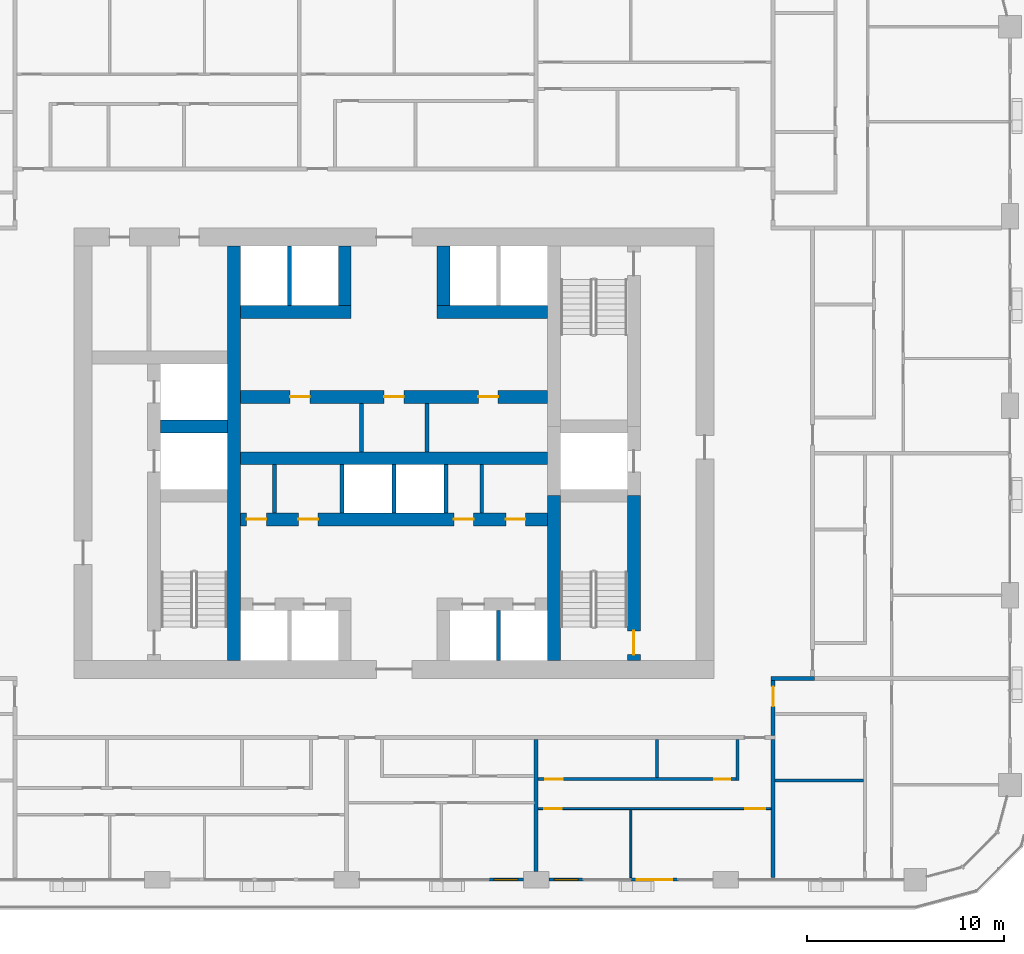
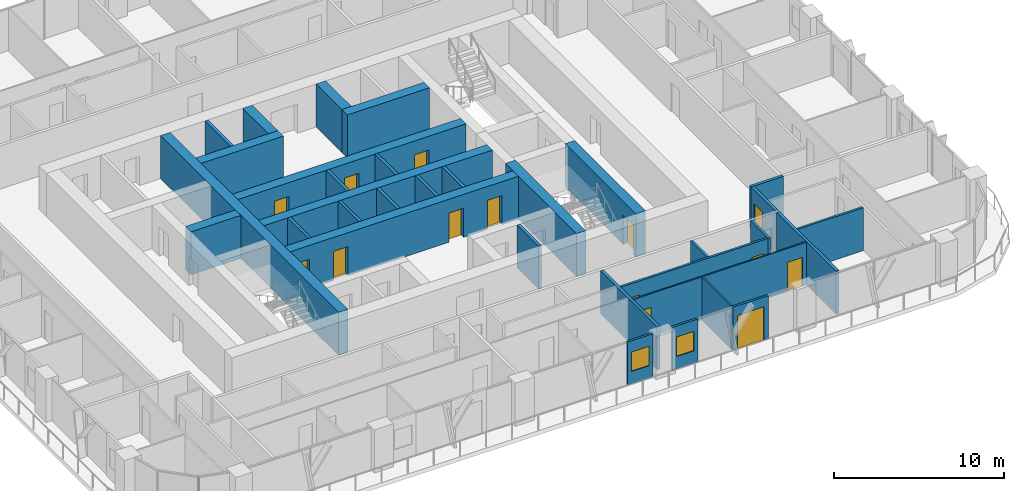
# One storey, part 11 of 21: 33 walls, 14 doors, 2 windows, 16 openings.
"""IFC4 building model written with IfcOpenShell, lengths in metres."""

from ifc_helpers import new_model, si_unit, direction, frame, frame_2d, origin, place, context, subcontext, project, spatial, rectangle, extrude, material, layer, layer_set, type_object, element, fill, save


model = new_model("IFC4")

# Units and contexts
model_context = context("Model", 3, precision=1e-05, world=origin(), true_north=direction((0.0, 1.0)))
body_context = subcontext(model_context, "Body", "Model", "MODEL_VIEW")
ifc_project = project(units=[si_unit("LENGTHUNIT", "METRE"), si_unit("AREAUNIT", "SQUARE_METRE"), si_unit("VOLUMEUNIT", "CUBIC_METRE"), si_unit("PLANEANGLEUNIT", "RADIAN"), si_unit("MASSUNIT", "GRAM", prefix="KILO")], contexts=[model_context])

# Site, building, storey
site_placement = place(None, origin())
site = spatial("IfcSite", under=ifc_project, at=site_placement, CompositionType="ELEMENT")
building_placement = place(site_placement, origin())
building = spatial("IfcBuilding", under=site, at=building_placement, Name="Madar Terraces", CompositionType="ELEMENT")
storey_placement = place(building_placement, frame((0.0, 0.0, 110.199951171875)))
storey = spatial("IfcBuildingStorey", under=building, at=storey_placement, Name="L28", CompositionType="ELEMENT", Elevation=110.199951171875)

# Walls
ifc_material_1 = material(Name="Concrete C80/95", Category="concrete")
ifc_layer_1 = layer(ifc_material_1, 0.64990234375)
ifc_layer_set_1 = layer_set([ifc_layer_1], Name="Concrete C80/95 (CIW2 RC wall 650)")
wall_type_1 = type_object("IfcWallType", Name="CIW2 RC wall 650", PredefinedType="SHEAR", material=ifc_layer_set_1)
wall_1_placement = place(storey_placement, frame((23.10009765625, 15.89990234375, 0.0), z_axis=(0.0, 0.0, 1.0), x_axis=(0.0, 1.0, 0.0)))
element("IfcWall", 1, at=wall_1_placement, inside=storey, type_object=wall_type_1, Name="CORE SHAFT WALL", PredefinedType="SHEAR", context=body_context, shape_type="SweptSolid", body=[
    extrude(rectangle(XDim=21.0, YDim=0.64990234375, at=frame_2d((10.5, 0.0))), origin(), (0.0, 0.0, 1.0), 3.10009765625),
])
wall_2_placement = place(storey_placement, frame((39.300048828125, 15.89990234375, 0.0), z_axis=(0.0, 0.0, 1.0), x_axis=(0.0, 1.0, 0.0)))
element("IfcWall", 2, at=wall_2_placement, inside=storey, type_object=wall_type_1, Name="CORE SHAFT WALL", PredefinedType="SHEAR", context=body_context, shape_type="SweptSolid", body=[
    extrude(rectangle(XDim=8.35009765625, YDim=0.64990234375, at=frame_2d((4.175048828125, 0.0))), origin(), (0.0, 0.0, 1.0), 3.10009765625),
])

# Wall, opening, door
wall_3_placement = place(storey_placement, frame((43.35009765625, 15.89990234375, 0.0), z_axis=(0.0, 0.0, 1.0), x_axis=(0.0, 1.0, 0.0)))
wall_3 = element("IfcWall", 3, at=wall_3_placement, inside=storey, type_object=wall_type_1, Name="CORE SHAFT WALL", PredefinedType="SHEAR", context=body_context, shape_type="SweptSolid", body=[
    extrude(rectangle(XDim=8.35009765625, YDim=0.64990234375, at=frame_2d((4.175048828125, 0.0))), origin(), (0.0, 0.0, 1.0), 3.10009765625),
])
opening_1_placement = place(wall_3_placement, frame((0.300048828125, 0.0, 0.0)))
opening_1 = element("IfcOpeningElement", 4, at=opening_1_placement, cuts=wall_3, Name="Opening SD1", PredefinedType="OPENING", context=body_context, shape_type="SweptSolid", body=[
    extrude(rectangle(XDim=1.199951171875, YDim=2.10009765625, at=frame_2d((0.60009765625, 1.050048828125))), frame((0.0, 0.3349609375, 0.0), z_axis=(0.0, -1.0, 0.0), x_axis=(1.0, 0.0, 0.0)), (0.0, 0.0, 1.0), 0.669921875),
])
ifc_material_2 = material(Name="Steel door leaf", Category="steel")
door_type_1 = type_object("IfcDoorType", Name="Stair door 1200 x 2100", OperationType="NOTDEFINED", PredefinedType="DOOR", material=ifc_material_2)
door_1_placement = place(opening_1_placement, origin())
door_1 = element("IfcDoor", 5, at=door_1_placement, inside=storey, type_object=door_type_1, Name="STAIR DOOR", OperationType="SINGLE_SWING_LEFT", OverallHeight=2.10009765625, OverallWidth=1.199951171875, PredefinedType="DOOR", context=body_context, shape_type="SweptSolid", body=[
    extrude(rectangle(XDim=1.199951171875, YDim=2.10009765625, at=frame_2d((0.60009765625, 1.050048828125))), frame((0.0, 0.02490234375, 0.0), z_axis=(0.0, -1.0, 0.0), x_axis=(1.0, 0.0, 0.0)), (0.0, 0.0, 1.0), 0.050048828125),
])
fill(opening_1, door_1)

# Wall
wall_4_placement = place(storey_placement, frame((19.375, 27.75, 0.0), z_axis=(0.0, 0.0, 1.0), x_axis=(1.0, 0.0, 0.0)))
element("IfcWall", 6, at=wall_4_placement, inside=storey, type_object=wall_type_1, Name="CORE SHAFT WALL", PredefinedType="SHEAR", context=body_context, shape_type="SweptSolid", body=[
    extrude(rectangle(XDim=3.39990234375, YDim=0.64990234375, at=frame_2d((1.699951171875, 0.0))), origin(), (0.0, 0.0, 1.0), 3.10009765625),
])

# Wall, openings, doors
wall_5_placement = place(storey_placement, frame((23.425048828125, 23.050048828125, 0.0), z_axis=(0.0, 0.0, 1.0), x_axis=(1.0, 0.0, 0.0)))
wall_5 = element("IfcWall", 7, at=wall_5_placement, inside=storey, type_object=wall_type_1, Name="CORE SHAFT WALL", PredefinedType="SHEAR", context=body_context, shape_type="SweptSolid", body=[
    extrude(rectangle(XDim=15.550048828125, YDim=0.64990234375, at=frame_2d((7.77490234375, 0.0))), origin(), (0.0, 0.0, 1.0), 3.10009765625),
])
opening_2_placement = place(wall_5_placement, frame((0.30859375, 0.0, 0.0)))
opening_2 = element("IfcOpeningElement", 8, at=opening_2_placement, cuts=wall_5, Name="Opening KD2", PredefinedType="OPENING", context=body_context, shape_type="SweptSolid", body=[
    extrude(rectangle(XDim=1.0, YDim=2.10009765625, at=frame_2d((0.5, 1.050048828125))), frame((0.0, 0.3349609375, 0.0), z_axis=(0.0, -1.0, 0.0), x_axis=(1.0, 0.0, 0.0)), (0.0, 0.0, 1.0), 0.669921875),
])
opening_3_placement = place(wall_5_placement, frame((2.93359375, 0.0, 0.0)))
opening_3 = element("IfcOpeningElement", 9, at=opening_3_placement, cuts=wall_5, Name="Opening KD2", PredefinedType="OPENING", context=body_context, shape_type="SweptSolid", body=[
    extrude(rectangle(XDim=1.0, YDim=2.10009765625, at=frame_2d((0.5, 1.050048828125))), frame((0.0, 0.3349609375, 0.0), z_axis=(0.0, -1.0, 0.0), x_axis=(1.0, 0.0, 0.0)), (0.0, 0.0, 1.0), 0.669921875),
])
opening_4_placement = place(wall_5_placement, frame((10.80859375, 0.0, 0.0)))
opening_4 = element("IfcOpeningElement", 10, at=opening_4_placement, cuts=wall_5, Name="Opening KD2", PredefinedType="OPENING", context=body_context, shape_type="SweptSolid", body=[
    extrude(rectangle(XDim=1.0, YDim=2.10009765625, at=frame_2d((0.5, 1.050048828125))), frame((0.0, 0.3349609375, 0.0), z_axis=(0.0, -1.0, 0.0), x_axis=(1.0, 0.0, 0.0)), (0.0, 0.0, 1.0), 0.669921875),
])
opening_5_placement = place(wall_5_placement, frame((13.43359375, 0.0, 0.0)))
opening_5 = element("IfcOpeningElement", 11, at=opening_5_placement, cuts=wall_5, Name="Opening KD2", PredefinedType="OPENING", context=body_context, shape_type="SweptSolid", body=[
    extrude(rectangle(XDim=1.0, YDim=2.10009765625, at=frame_2d((0.5, 1.050048828125))), frame((0.0, 0.3349609375, 0.0), z_axis=(0.0, -1.0, 0.0), x_axis=(1.0, 0.0, 0.0)), (0.0, 0.0, 1.0), 0.669921875),
])
ifc_material_3 = material(Name="Steel door leaf", Category="steel")
door_type_2 = type_object("IfcDoorType", Name="Service room door 1000 x 2100", OperationType="NOTDEFINED", PredefinedType="DOOR", material=ifc_material_3)
door_2_placement = place(opening_2_placement, frame((1.0, 0.0, 0.0), z_axis=(0.0, 0.0, 1.0), x_axis=(-1.0, 0.0, 0.0)))
door_2 = element("IfcDoor", 12, at=door_2_placement, inside=storey, type_object=door_type_2, Name="SERVICE ROOM DOOR", OperationType="SINGLE_SWING_LEFT", OverallHeight=2.10009765625, OverallWidth=1.0, PredefinedType="DOOR", context=body_context, shape_type="SweptSolid", body=[
    extrude(rectangle(XDim=1.0, YDim=2.10009765625, at=frame_2d((0.5, 1.050048828125))), frame((0.0, 0.02490234375, 0.0), z_axis=(0.0, -1.0, 0.0), x_axis=(1.0, 0.0, 0.0)), (0.0, 0.0, 1.0), 0.050048828125),
])
fill(opening_2, door_2)
door_3_placement = place(opening_3_placement, frame((1.0, 0.0, 0.0), z_axis=(0.0, 0.0, 1.0), x_axis=(-1.0, 0.0, 0.0)))
door_3 = element("IfcDoor", 13, at=door_3_placement, inside=storey, type_object=door_type_2, Name="SERVICE ROOM DOOR", OperationType="SINGLE_SWING_RIGHT", OverallHeight=2.10009765625, OverallWidth=1.0, PredefinedType="DOOR", context=body_context, shape_type="SweptSolid", body=[
    extrude(rectangle(XDim=1.0, YDim=2.10009765625, at=frame_2d((0.5, 1.050048828125))), frame((0.0, 0.02490234375, 0.0), z_axis=(0.0, -1.0, 0.0), x_axis=(1.0, 0.0, 0.0)), (0.0, 0.0, 1.0), 0.050048828125),
])
fill(opening_3, door_3)
door_4_placement = place(opening_4_placement, frame((1.0, 0.0, 0.0), z_axis=(0.0, 0.0, 1.0), x_axis=(-1.0, 0.0, 0.0)))
door_4 = element("IfcDoor", 14, at=door_4_placement, inside=storey, type_object=door_type_2, Name="SERVICE ROOM DOOR", OperationType="SINGLE_SWING_LEFT", OverallHeight=2.10009765625, OverallWidth=1.0, PredefinedType="DOOR", context=body_context, shape_type="SweptSolid", body=[
    extrude(rectangle(XDim=1.0, YDim=2.10009765625, at=frame_2d((0.5, 1.050048828125))), frame((0.0, 0.02490234375, 0.0), z_axis=(0.0, -1.0, 0.0), x_axis=(1.0, 0.0, 0.0)), (0.0, 0.0, 1.0), 0.050048828125),
])
fill(opening_4, door_4)
door_5_placement = place(opening_5_placement, frame((1.0, 0.0, 0.0), z_axis=(0.0, 0.0, 1.0), x_axis=(-1.0, 0.0, 0.0)))
door_5 = element("IfcDoor", 15, at=door_5_placement, inside=storey, type_object=door_type_2, Name="SERVICE ROOM DOOR", OperationType="SINGLE_SWING_RIGHT", OverallHeight=2.10009765625, OverallWidth=1.0, PredefinedType="DOOR", context=body_context, shape_type="SweptSolid", body=[
    extrude(rectangle(XDim=1.0, YDim=2.10009765625, at=frame_2d((0.5, 1.050048828125))), frame((0.0, 0.02490234375, 0.0), z_axis=(0.0, -1.0, 0.0), x_axis=(1.0, 0.0, 0.0)), (0.0, 0.0, 1.0), 0.050048828125),
])
fill(opening_5, door_5)

# Wall
wall_6_placement = place(storey_placement, frame((23.425048828125, 26.14990234375, 0.0), z_axis=(0.0, 0.0, 1.0), x_axis=(1.0, 0.0, 0.0)))
element("IfcWall", 16, at=wall_6_placement, inside=storey, type_object=wall_type_1, Name="CORE SHAFT WALL", PredefinedType="SHEAR", context=body_context, shape_type="SweptSolid", body=[
    extrude(rectangle(XDim=15.550048828125, YDim=0.64990234375, at=frame_2d((7.77490234375, 0.0))), origin(), (0.0, 0.0, 1.0), 3.10009765625),
])

# Wall, openings, doors
wall_7_placement = place(storey_placement, frame((23.425048828125, 29.25, 0.0), z_axis=(0.0, 0.0, 1.0), x_axis=(1.0, 0.0, 0.0)))
wall_7 = element("IfcWall", 17, at=wall_7_placement, inside=storey, type_object=wall_type_1, Name="CORE SHAFT WALL", PredefinedType="SHEAR", context=body_context, shape_type="SweptSolid", body=[
    extrude(rectangle(XDim=15.550048828125, YDim=0.64990234375, at=frame_2d((7.77490234375, 0.0))), origin(), (0.0, 0.0, 1.0), 3.10009765625),
])
opening_6_placement = place(wall_7_placement, frame((2.508056640625, 0.0, 0.0)))
opening_6 = element("IfcOpeningElement", 18, at=opening_6_placement, cuts=wall_7, Name="Opening KD2", PredefinedType="OPENING", context=body_context, shape_type="SweptSolid", body=[
    extrude(rectangle(XDim=1.0, YDim=2.10009765625, at=frame_2d((0.5, 1.050048828125))), frame((0.0, 0.3349609375, 0.0), z_axis=(0.0, -1.0, 0.0), x_axis=(1.0, 0.0, 0.0)), (0.0, 0.0, 1.0), 0.669921875),
])
opening_7_placement = place(wall_7_placement, frame((7.27490234375, 0.0, 0.0)))
opening_7 = element("IfcOpeningElement", 19, at=opening_7_placement, cuts=wall_7, Name="Opening KD2", PredefinedType="OPENING", context=body_context, shape_type="SweptSolid", body=[
    extrude(rectangle(XDim=1.0, YDim=2.10009765625, at=frame_2d((0.5, 1.050048828125))), frame((0.0, 0.3349609375, 0.0), z_axis=(0.0, -1.0, 0.0), x_axis=(1.0, 0.0, 0.0)), (0.0, 0.0, 1.0), 0.669921875),
])
opening_8_placement = place(wall_7_placement, frame((12.041748046875, 0.0, 0.0)))
opening_8 = element("IfcOpeningElement", 20, at=opening_8_placement, cuts=wall_7, Name="Opening KD2", PredefinedType="OPENING", context=body_context, shape_type="SweptSolid", body=[
    extrude(rectangle(XDim=1.0, YDim=2.10009765625, at=frame_2d((0.5, 1.050048828125))), frame((0.0, 0.3349609375, 0.0), z_axis=(0.0, -1.0, 0.0), x_axis=(1.0, 0.0, 0.0)), (0.0, 0.0, 1.0), 0.669921875),
])
door_6_placement = place(opening_6_placement, origin())
door_6 = element("IfcDoor", 21, at=door_6_placement, inside=storey, type_object=door_type_2, Name="SERVICE ROOM DOOR", OperationType="SINGLE_SWING_LEFT", OverallHeight=2.10009765625, OverallWidth=1.0, PredefinedType="DOOR", context=body_context, shape_type="SweptSolid", body=[
    extrude(rectangle(XDim=1.0, YDim=2.10009765625, at=frame_2d((0.5, 1.050048828125))), frame((0.0, 0.02490234375, 0.0), z_axis=(0.0, -1.0, 0.0), x_axis=(1.0, 0.0, 0.0)), (0.0, 0.0, 1.0), 0.050048828125),
])
fill(opening_6, door_6)
door_7_placement = place(opening_7_placement, origin())
door_7 = element("IfcDoor", 22, at=door_7_placement, inside=storey, type_object=door_type_2, Name="SERVICE ROOM DOOR", OperationType="SINGLE_SWING_RIGHT", OverallHeight=2.10009765625, OverallWidth=1.0, PredefinedType="DOOR", context=body_context, shape_type="SweptSolid", body=[
    extrude(rectangle(XDim=1.0, YDim=2.10009765625, at=frame_2d((0.5, 1.050048828125))), frame((0.0, 0.02490234375, 0.0), z_axis=(0.0, -1.0, 0.0), x_axis=(1.0, 0.0, 0.0)), (0.0, 0.0, 1.0), 0.050048828125),
])
fill(opening_7, door_7)
door_8_placement = place(opening_8_placement, origin())
door_8 = element("IfcDoor", 23, at=door_8_placement, inside=storey, type_object=door_type_2, Name="SERVICE ROOM DOOR", OperationType="SINGLE_SWING_LEFT", OverallHeight=2.10009765625, OverallWidth=1.0, PredefinedType="DOOR", context=body_context, shape_type="SweptSolid", body=[
    extrude(rectangle(XDim=1.0, YDim=2.10009765625, at=frame_2d((0.5, 1.050048828125))), frame((0.0, 0.02490234375, 0.0), z_axis=(0.0, -1.0, 0.0), x_axis=(1.0, 0.0, 0.0)), (0.0, 0.0, 1.0), 0.050048828125),
])
fill(opening_8, door_8)

# Walls
wall_8_placement = place(storey_placement, frame((23.425048828125, 33.550048828125, 0.0), z_axis=(0.0, 0.0, 1.0), x_axis=(1.0, 0.0, 0.0)))
element("IfcWall", 24, at=wall_8_placement, inside=storey, type_object=wall_type_1, Name="CORE SHAFT WALL", PredefinedType="SHEAR", context=body_context, shape_type="SweptSolid", body=[
    extrude(rectangle(XDim=5.599853515625, YDim=0.64990234375, at=frame_2d((2.7998046875, 0.0))), origin(), (0.0, 0.0, 1.0), 3.10009765625),
])
wall_9_placement = place(storey_placement, frame((33.375, 33.550048828125, 0.0), z_axis=(0.0, 0.0, 1.0), x_axis=(1.0, 0.0, 0.0)))
element("IfcWall", 25, at=wall_9_placement, inside=storey, type_object=wall_type_1, Name="CORE SHAFT WALL", PredefinedType="SHEAR", context=body_context, shape_type="SweptSolid", body=[
    extrude(rectangle(XDim=5.60009765625, YDim=0.64990234375, at=frame_2d((2.800048828125, 0.0))), origin(), (0.0, 0.0, 1.0), 3.10009765625),
])
for number, where, z_axis, x_axis, name in (
    (26, (28.699951171875, 33.875, 0.0), (0.0, 0.0, 1.0), (0.0, 1.0, 0.0), "CORE SHAFT WALL"),
    (27, (33.699951171875, 33.875, 0.0), (0.0, 0.0, 1.0), (0.0, 1.0, 0.0), "CORE SHAFT WALL"),
):
    element("IfcWall", number, at=place(storey_placement, frame(where, z_axis=z_axis, x_axis=x_axis)), inside=storey, type_object=wall_type_1, Name=name, PredefinedType="SHEAR", context=body_context, shape_type="SweptSolid", body=[
        extrude(rectangle(XDim=3.02490234375, YDim=0.64990234375, at=frame_2d((1.512451171875, 0.0))), origin(), (0.0, 0.0, 1.0), 3.10009765625),
    ])
ifc_material_4 = material(Name="Masonry blockwork", Category="masonry")
ifc_layer_2 = layer(ifc_material_4, 0.199951171875)
ifc_layer_set_2 = layer_set([ifc_layer_2], Name="Core partition 200 blockwork")
wall_type_2 = type_object("IfcWallType", Name="Core partition 200 blockwork", PredefinedType="PARTITIONING", material=ifc_layer_set_2)
for number, where, z_axis, x_axis, name in (
    (28, (25.14208984375, 23.375, 0.0), (0.0, 0.0, 1.0), (0.0, 1.0, 0.0), "SERVICE ROOM PARTITION"),
    (29, (35.64208984375, 23.375, 0.0), (0.0, 0.0, 1.0), (0.0, 1.0, 0.0), "SERVICE ROOM PARTITION"),
    (30, (29.541259765625, 26.47509765625, 0.0), (0.0, 0.0, 1.0), (0.0, 1.0, 0.0), "SERVICE ROOM PARTITION"),
    (31, (32.858642578125, 26.47509765625, 0.0), (0.0, 0.0, 1.0), (0.0, 1.0, 0.0), "SERVICE ROOM PARTITION"),
):
    element("IfcWall", number, at=place(storey_placement, frame(where, z_axis=z_axis, x_axis=x_axis)), inside=storey, type_object=wall_type_2, Name=name, PredefinedType="PARTITIONING", context=body_context, shape_type="SweptSolid", body=[
        extrude(rectangle(XDim=2.449951171875, YDim=0.199951171875, at=frame_2d((1.22509765625, 0.0))), origin(), (0.0, 0.0, 1.0), 3.10009765625),
    ])
ifc_material_5 = material(Name="Concrete C40/50", Category="concrete")
ifc_layer_3 = layer(ifc_material_5, 0.199951171875)
ifc_layer_set_3 = layer_set([ifc_layer_3], Name="Core shaft dividing wall 200 C40/50")
wall_type_3 = type_object("IfcWallType", Name="Core shaft dividing wall 200 C40/50", PredefinedType="SOLIDWALL", material=ifc_layer_set_3)
for number, where, z_axis, x_axis, name in (
    (32, (28.574951171875, 23.375, 0.0), (0.0, 0.0, 1.0), (0.0, 1.0, 0.0), "SHAFT DIVIDING WALL"),
    (33, (31.199951171875, 23.375, 0.0), (0.0, 0.0, 1.0), (0.0, 1.0, 0.0), "SHAFT DIVIDING WALL"),
    (34, (33.824951171875, 23.375, 0.0), (0.0, 0.0, 1.0), (0.0, 1.0, 0.0), "SHAFT DIVIDING WALL"),
):
    element("IfcWall", number, at=place(storey_placement, frame(where, z_axis=z_axis, x_axis=x_axis)), inside=storey, type_object=wall_type_3, Name=name, PredefinedType="SOLIDWALL", context=body_context, shape_type="SweptSolid", body=[
        extrude(rectangle(XDim=2.449951171875, YDim=0.199951171875, at=frame_2d((1.22509765625, 0.0))), origin(), (0.0, 0.0, 1.0), 3.10009765625),
    ])
wall_10_placement = place(storey_placement, frame((25.89990234375, 33.875, 0.0), z_axis=(0.0, 0.0, 1.0), x_axis=(0.0, 1.0, 0.0)))
element("IfcWall", 35, at=wall_10_placement, inside=storey, type_object=wall_type_3, Name="SHAFT DIVIDING WALL", PredefinedType="SOLIDWALL", context=body_context, shape_type="SweptSolid", body=[
    extrude(rectangle(XDim=3.02490234375, YDim=0.199951171875, at=frame_2d((1.512451171875, 0.0))), origin(), (0.0, 0.0, 1.0), 3.10009765625),
])
wall_11_placement = place(storey_placement, frame((36.5, 15.89990234375, 0.0), z_axis=(0.0, 0.0, 1.0), x_axis=(0.0, 1.0, 0.0)))
element("IfcWall", 36, at=wall_11_placement, inside=storey, type_object=wall_type_3, Name="SHAFT DIVIDING WALL", PredefinedType="SOLIDWALL", context=body_context, shape_type="SweptSolid", body=[
    extrude(rectangle(XDim=2.525146484375, YDim=0.199951171875, at=frame_2d((1.2626953125, 0.0))), origin(), (0.0, 0.0, 1.0), 3.10009765625),
])

# Wall, opening, window
ifc_material_6 = material(Name="Aluminium composite panel, black, over insulated backing", Category="aluminium")
ifc_layer_4 = layer(ifc_material_6, 0.14990234375)
ifc_layer_set_4 = layer_set([ifc_layer_4], Name="Facade bay panel 150")
wall_type_4 = type_object("IfcWallType", Name="Facade bay panel 150", PredefinedType="SOLIDWALL", material=ifc_layer_set_4)
wall_12_placement = place(storey_placement, frame((36.0, 4.800048828125, 0.0), z_axis=(0.0, 0.0, 1.0), x_axis=(1.0, 0.0, 0.0)))
wall_12 = element("IfcWall", 37, at=wall_12_placement, inside=storey, type_object=wall_type_4, Name="Facade bay panel", PredefinedType="SOLIDWALL", context=body_context, shape_type="SweptSolid", body=[
    extrude(rectangle(XDim=1.75, YDim=0.14990234375, at=frame_2d((0.875, 0.0))), origin(), (0.0, 0.0, 1.0), 3.10009765625),
])
opening_9_placement = place(wall_12_placement, frame((0.27490234375, 0.0, 0.89990234375)))
opening_9 = element("IfcOpeningElement", 38, at=opening_9_placement, cuts=wall_12, Name="Opening W1", PredefinedType="OPENING", context=body_context, shape_type="SweptSolid", body=[
    extrude(rectangle(XDim=1.199951171875, YDim=1.39990234375, at=frame_2d((0.60009765625, 0.699951171875))), frame((0.0, 0.0849609375, 0.0), z_axis=(0.0, -1.0, 0.0), x_axis=(1.0, 0.0, 0.0)), (0.0, 0.0, 1.0), 0.169921875),
])
ifc_material_7 = material(Name="Glass, clear, with black aluminium frame", Category="aluminium")
window_type = type_object("IfcWindowType", Name="Vent window 1200 x 1400", PartitioningType="SINGLE_PANEL", PredefinedType="WINDOW", material=ifc_material_7)
window_1_placement = place(opening_9_placement, origin())
window_1 = element("IfcWindow", 39, at=window_1_placement, inside=storey, type_object=window_type, Name="Operable vent window", OverallHeight=1.39990234375, OverallWidth=1.199951171875, PartitioningType="SINGLE_PANEL", PredefinedType="WINDOW", context=body_context, shape_type="SweptSolid", body=[
    extrude(rectangle(XDim=1.199951171875, YDim=1.39990234375, at=frame_2d((0.60009765625, 0.699951171875))), frame((0.0, 0.030029296875, 0.0), z_axis=(0.0, -1.0, 0.0), x_axis=(1.0, 0.0, 0.0)), (0.0, 0.0, 1.0), 0.06005859375),
])
fill(opening_9, window_1)

wall_13_placement = place(storey_placement, frame((39.050048828125, 4.800048828125, 0.0), z_axis=(0.0, 0.0, 1.0), x_axis=(1.0, 0.0, 0.0)))
wall_13 = element("IfcWall", 40, at=wall_13_placement, inside=storey, type_object=wall_type_4, Name="Facade bay panel", PredefinedType="SOLIDWALL", context=body_context, shape_type="SweptSolid", body=[
    extrude(rectangle(XDim=1.75, YDim=0.14990234375, at=frame_2d((0.875, 0.0))), origin(), (0.0, 0.0, 1.0), 3.10009765625),
])
opening_10_placement = place(wall_13_placement, frame((0.27490234375, 0.0, 0.89990234375)))
opening_10 = element("IfcOpeningElement", 41, at=opening_10_placement, cuts=wall_13, Name="Opening W1", PredefinedType="OPENING", context=body_context, shape_type="SweptSolid", body=[
    extrude(rectangle(XDim=1.199951171875, YDim=1.39990234375, at=frame_2d((0.60009765625, 0.699951171875))), frame((0.0, 0.0849609375, 0.0), z_axis=(0.0, -1.0, 0.0), x_axis=(1.0, 0.0, 0.0)), (0.0, 0.0, 1.0), 0.169921875),
])
window_2_placement = place(opening_10_placement, origin())
window_2 = element("IfcWindow", 42, at=window_2_placement, inside=storey, type_object=window_type, Name="Operable vent window", OverallHeight=1.39990234375, OverallWidth=1.199951171875, PartitioningType="SINGLE_PANEL", PredefinedType="WINDOW", context=body_context, shape_type="SweptSolid", body=[
    extrude(rectangle(XDim=1.199951171875, YDim=1.39990234375, at=frame_2d((0.60009765625, 0.699951171875))), frame((0.0, 0.030029296875, 0.0), z_axis=(0.0, -1.0, 0.0), x_axis=(1.0, 0.0, 0.0)), (0.0, 0.0, 1.0), 0.06005859375),
])
fill(opening_10, window_2)

# Wall, opening, door
wall_14_placement = place(storey_placement, frame((43.199951171875, 4.800048828125, 0.0), z_axis=(0.0, 0.0, 1.0), x_axis=(1.0, 0.0, 0.0)))
wall_14 = element("IfcWall", 43, at=wall_14_placement, inside=storey, type_object=wall_type_4, Name="Facade bay panel", PredefinedType="SOLIDWALL", context=body_context, shape_type="SweptSolid", body=[
    extrude(rectangle(XDim=2.400146484375, YDim=0.14990234375, at=frame_2d((1.2001953125, 0.0))), origin(), (0.0, 0.0, 1.0), 3.10009765625),
])
opening_11_placement = place(wall_14_placement, frame((0.300048828125, 0.0, 0.0)))
opening_11 = element("IfcOpeningElement", 44, at=opening_11_placement, cuts=wall_14, Name="Opening ED1", PredefinedType="OPENING", context=body_context, shape_type="SweptSolid", body=[
    extrude(rectangle(XDim=1.800048828125, YDim=2.39990234375, at=frame_2d((0.89990234375, 1.199951171875))), frame((0.0, 0.0849609375, 0.0), z_axis=(0.0, -1.0, 0.0), x_axis=(1.0, 0.0, 0.0)), (0.0, 0.0, 1.0), 0.169921875),
])
ifc_material_8 = material(Name="Glass, clear, with black aluminium frame", Category="aluminium")
door_type_3 = type_object("IfcDoorType", Name="Balcony and terrace sliding door 1800 x 2400", OperationType="SLIDING_TO_LEFT", PredefinedType="DOOR", material=ifc_material_8)
door_9_placement = place(opening_11_placement, origin())
door_9 = element("IfcDoor", 45, at=door_9_placement, inside=storey, type_object=door_type_3, Name="Balcony door", OperationType="SLIDING_TO_RIGHT", OverallHeight=2.39990234375, OverallWidth=1.800048828125, PredefinedType="DOOR", context=body_context, shape_type="SweptSolid", body=[
    extrude(rectangle(XDim=1.800048828125, YDim=2.39990234375, at=frame_2d((0.89990234375, 1.199951171875))), frame((0.0, 0.02490234375, 0.0), z_axis=(0.0, -1.0, 0.0), x_axis=(1.0, 0.0, 0.0)), (0.0, 0.0, 1.0), 0.050048828125),
])
fill(opening_11, door_9)

# Wall
ifc_material_9 = material(Name="Gypsum board on steel studs", Category="steel")
ifc_layer_5 = layer(ifc_material_9, 0.10009765625)
ifc_layer_set_5 = layer_set([ifc_layer_5], Name="Flat partition 100")
wall_type_5 = type_object("IfcWallType", Name="Flat partition 100", PredefinedType="PARTITIONING", material=ifc_layer_set_5)
wall_15_placement = place(storey_placement, frame((43.199951171875, 8.35009765625, 0.0), z_axis=(0.0, 0.0, 1.0), x_axis=(0.0, -1.0, 0.0)))
element("IfcWall", 46, at=wall_15_placement, inside=storey, type_object=wall_type_5, Name="Flat partition 100", PredefinedType="PARTITIONING", context=body_context, shape_type="SweptSolid", body=[
    extrude(rectangle(XDim=3.4501953125, YDim=0.10009765625, at=frame_2d((1.72509765625, 0.0))), origin(), (0.0, 0.0, 1.0), 3.10009765625),
])

# Wall, openings, doors
wall_16_placement = place(storey_placement, frame((50.300048828125, 8.39990234375, 0.0), z_axis=(0.0, 0.0, 1.0), x_axis=(-1.0, 0.0, 0.0)))
wall_16 = element("IfcWall", 47, at=wall_16_placement, inside=storey, type_object=wall_type_5, Name="Flat partition 100", PredefinedType="PARTITIONING", context=body_context, shape_type="SweptSolid", body=[
    extrude(rectangle(XDim=11.800048828125, YDim=0.10009765625, at=frame_2d((5.89990234375, 0.0))), origin(), (0.0, 0.0, 1.0), 3.10009765625),
])
opening_12_placement = place(wall_16_placement, frame((0.300048828125, 0.0, 0.0)))
opening_12 = element("IfcOpeningElement", 48, at=opening_12_placement, cuts=wall_16, Name="Opening D3", PredefinedType="OPENING", context=body_context, shape_type="SweptSolid", body=[
    extrude(rectangle(XDim=1.0, YDim=2.10009765625, at=frame_2d((0.5, 1.050048828125))), frame((0.0, 0.06005859375, 0.0), z_axis=(0.0, -1.0, 0.0), x_axis=(1.0, 0.0, 0.0)), (0.0, 0.0, 1.0), 0.1201171875),
])
opening_13_placement = place(wall_16_placement, frame((10.60009765625, 0.0, 0.0)))
opening_13 = element("IfcOpeningElement", 49, at=opening_13_placement, cuts=wall_16, Name="Opening D2", PredefinedType="OPENING", context=body_context, shape_type="SweptSolid", body=[
    extrude(rectangle(XDim=0.89990234375, YDim=2.10009765625, at=frame_2d((0.449951171875, 1.050048828125))), frame((0.0, 0.06005859375, 0.0), z_axis=(0.0, -1.0, 0.0), x_axis=(1.0, 0.0, 0.0)), (0.0, 0.0, 1.0), 0.1201171875),
])
ifc_material_10 = material(Name="Timber door leaf", Category="wood")
door_type_4 = type_object("IfcDoorType", Name="Flat living room door 1000", OperationType="NOTDEFINED", PredefinedType="DOOR", material=ifc_material_10)
door_10_placement = place(opening_12_placement, origin())
door_10 = element("IfcDoor", 50, at=door_10_placement, inside=storey, type_object=door_type_4, Name="Flat living room door 1000", OperationType="SINGLE_SWING_LEFT", OverallHeight=2.10009765625, OverallWidth=1.0, PredefinedType="DOOR", context=body_context, shape_type="SweptSolid", body=[
    extrude(rectangle(XDim=1.0, YDim=2.10009765625, at=frame_2d((0.5, 1.050048828125))), frame((0.0, 0.02490234375, 0.0), z_axis=(0.0, -1.0, 0.0), x_axis=(1.0, 0.0, 0.0)), (0.0, 0.0, 1.0), 0.050048828125),
])
fill(opening_12, door_10)
ifc_material_11 = material(Name="Timber door leaf", Category="wood")
door_type_5 = type_object("IfcDoorType", Name="Flat room door 900", OperationType="NOTDEFINED", PredefinedType="DOOR", material=ifc_material_11)
door_11_placement = place(opening_13_placement, origin())
door_11 = element("IfcDoor", 51, at=door_11_placement, inside=storey, type_object=door_type_5, Name="Flat room door 900", OperationType="SINGLE_SWING_RIGHT", OverallHeight=2.10009765625, OverallWidth=0.89990234375, PredefinedType="DOOR", context=body_context, shape_type="SweptSolid", body=[
    extrude(rectangle(XDim=0.89990234375, YDim=2.10009765625, at=frame_2d((0.449951171875, 1.050048828125))), frame((0.0, 0.02490234375, 0.0), z_axis=(0.0, -1.0, 0.0), x_axis=(1.0, 0.0, 0.0)), (0.0, 0.0, 1.0), 0.050048828125),
])
fill(opening_13, door_11)

# Wall, opening, door
ifc_material_12 = material(Name="Lightweight blockwork", Category="masonry")
ifc_layer_6 = layer(ifc_material_12, 0.199951171875)
ifc_layer_set_6 = layer_set([ifc_layer_6], Name="Flat party and entrance wall 200")
wall_type_6 = type_object("IfcWallType", Name="Flat party and entrance wall 200", PredefinedType="PARTITIONING", material=ifc_layer_set_6)
wall_17_placement = place(storey_placement, frame((50.39990234375, 14.89990234375, 0.0), z_axis=(0.0, 0.0, 1.0), x_axis=(0.0, -1.0, 0.0)))
wall_17 = element("IfcWall", 52, at=wall_17_placement, inside=storey, type_object=wall_type_6, Name="Flat party and entrance wall 200", PredefinedType="PARTITIONING", context=body_context, shape_type="SweptSolid", body=[
    extrude(rectangle(XDim=2.7998046875, YDim=0.199951171875, at=frame_2d((1.39990234375, 0.0))), origin(), (0.0, 0.0, 1.0), 3.10009765625),
])
opening_14_placement = place(wall_17_placement, frame((0.324951171875, 0.0, 0.0)))
opening_14 = element("IfcOpeningElement", 53, at=opening_14_placement, cuts=wall_17, Name="Opening D1", PredefinedType="OPENING", context=body_context, shape_type="SweptSolid", body=[
    extrude(rectangle(XDim=1.0, YDim=2.10009765625, at=frame_2d((0.5, 1.050048828125))), frame((0.0, 0.10986328125, 0.0), z_axis=(0.0, -1.0, 0.0), x_axis=(1.0, 0.0, 0.0)), (0.0, 0.0, 1.0), 0.219970703125),
])
ifc_material_13 = material(Name="Timber fire door leaf", Category="wood")
door_type_6 = type_object("IfcDoorType", Name="Flat entrance door 1000 FD30S", OperationType="NOTDEFINED", PredefinedType="DOOR", material=ifc_material_13)
door_12_placement = place(opening_14_placement, origin())
door_12 = element("IfcDoor", 54, at=door_12_placement, inside=storey, type_object=door_type_6, Name="Flat entrance door 1000 FD30S", OperationType="SINGLE_SWING_LEFT", OverallHeight=2.10009765625, OverallWidth=1.0, PredefinedType="DOOR", context=body_context, shape_type="SweptSolid", body=[
    extrude(rectangle(XDim=1.0, YDim=2.10009765625, at=frame_2d((0.5, 1.050048828125))), frame((0.0, 0.02490234375, 0.0), z_axis=(0.0, -1.0, 0.0), x_axis=(1.0, 0.0, 0.0)), (0.0, 0.0, 1.0), 0.050048828125),
])
fill(opening_14, door_12)

# Walls
wall_18_placement = place(storey_placement, frame((50.300048828125, 15.0, 0.0), z_axis=(0.0, 0.0, 1.0), x_axis=(1.0, 0.0, 0.0)))
element("IfcWall", 55, at=wall_18_placement, inside=storey, type_object=wall_type_6, Name="Flat party and entrance wall 200", PredefinedType="PARTITIONING", context=body_context, shape_type="SweptSolid", body=[
    extrude(rectangle(XDim=2.199951171875, YDim=0.199951171875, at=frame_2d((1.10009765625, 0.0))), origin(), (0.0, 0.0, 1.0), 3.10009765625),
])
wall_19_placement = place(storey_placement, frame((38.39990234375, 11.89990234375, 0.0), z_axis=(0.0, 0.0, 1.0), x_axis=(0.0, -1.0, 0.0)))
element("IfcWall", 56, at=wall_19_placement, inside=storey, type_object=wall_type_6, Name="Flat party and entrance wall 200", PredefinedType="PARTITIONING", context=body_context, shape_type="SweptSolid", body=[
    extrude(rectangle(XDim=6.6748046875, YDim=0.199951171875, at=frame_2d((3.33740234375, 0.0))), origin(), (0.0, 0.0, 1.0), 3.10009765625),
])
wall_20_placement = place(storey_placement, frame((50.39990234375, 11.89990234375, 0.0), z_axis=(0.0, 0.0, 1.0), x_axis=(0.0, -1.0, 0.0)))
element("IfcWall", 57, at=wall_20_placement, inside=storey, type_object=wall_type_6, Name="Flat party and entrance wall 200", PredefinedType="PARTITIONING", context=body_context, shape_type="SweptSolid", body=[
    extrude(rectangle(XDim=7.0, YDim=0.199951171875, at=frame_2d((3.5, 0.0))), origin(), (0.0, 0.0, 1.0), 3.10009765625),
])
ifc_material_14 = material(Name="Lightweight blockwork", Category="masonry")
ifc_layer_7 = layer(ifc_material_14, 0.14990234375)
ifc_layer_set_7 = layer_set([ifc_layer_7], Name="Flat wet-room partition 150")
wall_type_7 = type_object("IfcWallType", Name="Flat wet-room partition 150", PredefinedType="PARTITIONING", material=ifc_layer_set_7)
wall_21_placement = place(storey_placement, frame((44.514892578125, 11.89990234375, 0.0), z_axis=(0.0, 0.0, 1.0), x_axis=(0.0, -1.0, 0.0)))
element("IfcWall", 58, at=wall_21_placement, inside=storey, type_object=wall_type_7, Name="Flat wet-room partition 150", PredefinedType="PARTITIONING", context=body_context, shape_type="SweptSolid", body=[
    extrude(rectangle(XDim=1.9248046875, YDim=0.14990234375, at=frame_2d((0.96240234375, 0.0))), origin(), (0.0, 0.0, 1.0), 3.10009765625),
])
wall_22_placement = place(storey_placement, frame((48.60009765625, 11.89990234375, 0.0), z_axis=(0.0, 0.0, 1.0), x_axis=(0.0, -1.0, 0.0)))
element("IfcWall", 59, at=wall_22_placement, inside=storey, type_object=wall_type_7, Name="Flat wet-room partition 150", PredefinedType="PARTITIONING", context=body_context, shape_type="SweptSolid", body=[
    extrude(rectangle(XDim=2.074951171875, YDim=0.14990234375, at=frame_2d((1.03759765625, 0.0))), origin(), (0.0, 0.0, 1.0), 3.10009765625),
])

# Wall, openings, doors
wall_23_placement = place(storey_placement, frame((38.5, 9.89990234375, 0.0), z_axis=(0.0, 0.0, 1.0), x_axis=(1.0, 0.0, 0.0)))
wall_23 = element("IfcWall", 60, at=wall_23_placement, inside=storey, type_object=wall_type_7, Name="Flat wet-room partition 150", PredefinedType="PARTITIONING", context=body_context, shape_type="SweptSolid", body=[
    extrude(rectangle(XDim=10.02490234375, YDim=0.14990234375, at=frame_2d((5.012451171875, 0.0))), origin(), (0.0, 0.0, 1.0), 3.10009765625),
])
opening_15_placement = place(wall_23_placement, frame((8.925048828125, 0.0, 0.0)))
opening_15 = element("IfcOpeningElement", 61, at=opening_15_placement, cuts=wall_23, Name="Opening D4", PredefinedType="OPENING", context=body_context, shape_type="SweptSolid", body=[
    extrude(rectangle(XDim=0.800048828125, YDim=2.10009765625, at=frame_2d((0.39990234375, 1.050048828125))), frame((0.0, 0.0849609375, 0.0), z_axis=(0.0, -1.0, 0.0), x_axis=(1.0, 0.0, 0.0)), (0.0, 0.0, 1.0), 0.169921875),
])
opening_16_placement = place(wall_23_placement, frame((0.35009765625, 0.0, 0.0)))
opening_16 = element("IfcOpeningElement", 62, at=opening_16_placement, cuts=wall_23, Name="Opening D2", PredefinedType="OPENING", context=body_context, shape_type="SweptSolid", body=[
    extrude(rectangle(XDim=0.89990234375, YDim=2.10009765625, at=frame_2d((0.449951171875, 1.050048828125))), frame((0.0, 0.0849609375, 0.0), z_axis=(0.0, -1.0, 0.0), x_axis=(1.0, 0.0, 0.0)), (0.0, 0.0, 1.0), 0.169921875),
])
ifc_material_15 = material(Name="Timber door leaf", Category="wood")
door_type_7 = type_object("IfcDoorType", Name="Flat bathroom door 800", OperationType="NOTDEFINED", PredefinedType="DOOR", material=ifc_material_15)
door_13_placement = place(opening_15_placement, origin())
door_13 = element("IfcDoor", 63, at=door_13_placement, inside=storey, type_object=door_type_7, Name="Flat bathroom door 800", OperationType="SINGLE_SWING_RIGHT", OverallHeight=2.10009765625, OverallWidth=0.800048828125, PredefinedType="DOOR", context=body_context, shape_type="SweptSolid", body=[
    extrude(rectangle(XDim=0.800048828125, YDim=2.10009765625, at=frame_2d((0.39990234375, 1.050048828125))), frame((0.0, 0.02490234375, 0.0), z_axis=(0.0, -1.0, 0.0), x_axis=(1.0, 0.0, 0.0)), (0.0, 0.0, 1.0), 0.050048828125),
])
fill(opening_15, door_13)
door_14_placement = place(opening_16_placement, origin())
door_14 = element("IfcDoor", 64, at=door_14_placement, inside=storey, type_object=door_type_5, Name="Flat room door 900", OperationType="SINGLE_SWING_LEFT", OverallHeight=2.10009765625, OverallWidth=0.89990234375, PredefinedType="DOOR", context=body_context, shape_type="SweptSolid", body=[
    extrude(rectangle(XDim=0.89990234375, YDim=2.10009765625, at=frame_2d((0.449951171875, 1.050048828125))), frame((0.0, 0.02490234375, 0.0), z_axis=(0.0, -1.0, 0.0), x_axis=(1.0, 0.0, 0.0)), (0.0, 0.0, 1.0), 0.050048828125),
])
fill(opening_16, door_14)

# Wall
wall_24_placement = place(storey_placement, frame((50.5, 9.8349609375, 0.0), z_axis=(0.0, 0.0, 1.0), x_axis=(1.0, 0.0, 0.0)))
element("IfcWall", 65, at=wall_24_placement, inside=storey, type_object=wall_type_7, Name="Flat wet-room partition 150", PredefinedType="PARTITIONING", context=body_context, shape_type="SweptSolid", body=[
    extrude(rectangle(XDim=4.47509765625, YDim=0.14990234375, at=frame_2d((2.237548828125, 0.0))), origin(), (0.0, 0.0, 1.0), 3.10009765625),
])

save(model, "model.ifc")
